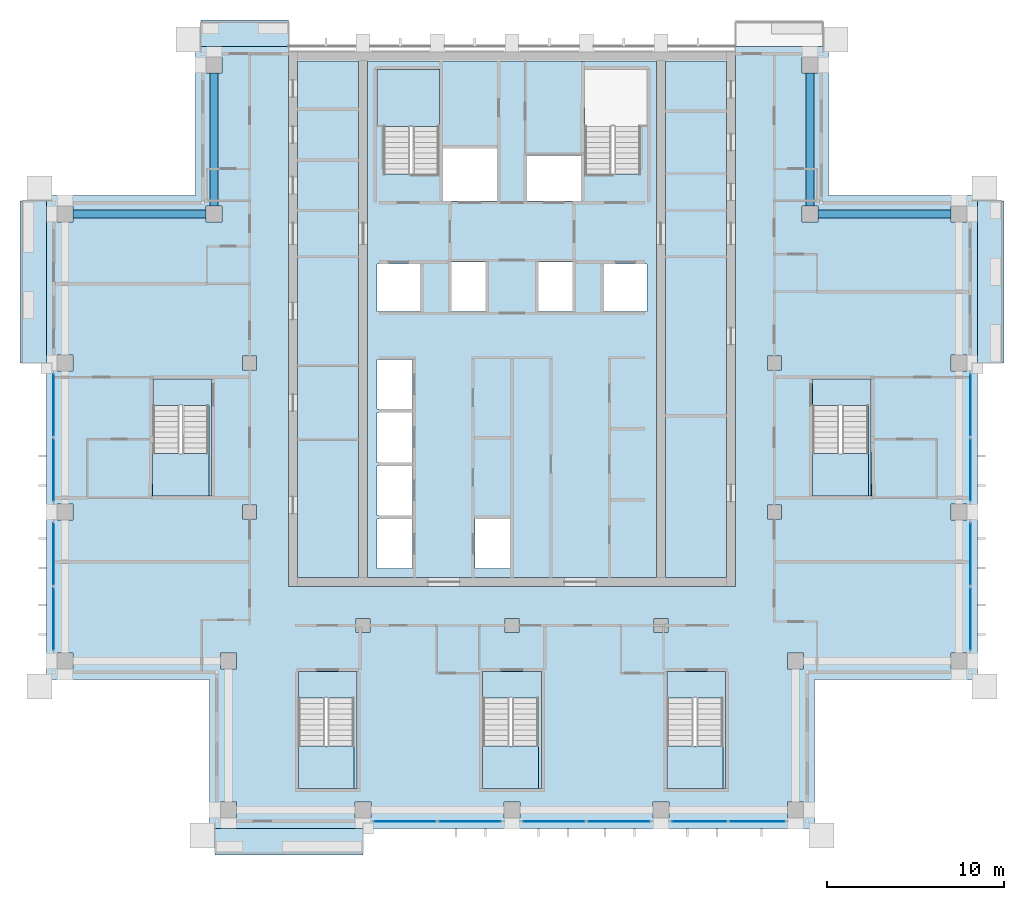
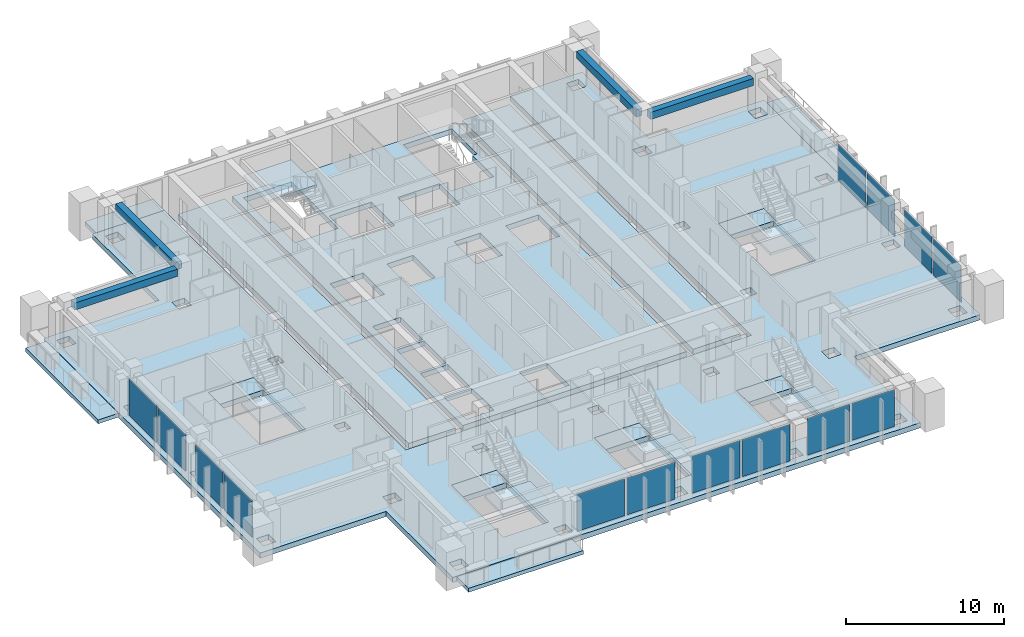
# One storey, part 6 of 18: 19 slabs, 14 plates, 4 beams, 13 elements without a shape of their own.
"""IFC4 building model written with IfcOpenShell, lengths in metres."""

from ifc_helpers import new_model, si_unit, direction, frame, origin, origin_2d, place, context, subcontext, project, spatial, polyline, rectangle, outline, extrude, material, layer, layer_set, material_profile, profile_set, type_object, element, aggregate, save


model = new_model("IFC4")

# Units and contexts
model_context = context("Model", 3, precision=1e-05, world=origin(), true_north=direction((0.0, 1.0)))
body_context = subcontext(model_context, "Body", "Model", "MODEL_VIEW")
ifc_project = project(units=[si_unit("LENGTHUNIT", "METRE"), si_unit("AREAUNIT", "SQUARE_METRE"), si_unit("VOLUMEUNIT", "CUBIC_METRE"), si_unit("PLANEANGLEUNIT", "RADIAN"), si_unit("MASSUNIT", "GRAM", prefix="KILO")], contexts=[model_context])

# Site, building, storey
site_placement = place(None, origin())
site = spatial("IfcSite", under=ifc_project, at=site_placement, CompositionType="ELEMENT")
building_placement = place(site_placement, origin())
building = spatial("IfcBuilding", under=site, at=building_placement, Name="Vermilion Ogive Tower", CompositionType="ELEMENT")
storey_placement = place(building_placement, frame((0.0, 0.0, 261.39990234375)))
storey = spatial("IfcBuildingStorey", under=building, at=storey_placement, Name="L69", CompositionType="ELEMENT", Elevation=261.39990234375)

# Beams
ifc_material_1 = material(Name="Concrete B45", Category="concrete")
ifc_material_profile = material_profile(ifc_material_1, rectangle(XDim=0.449951171875, YDim=0.550048828125, at=origin_2d()), Name="450 x 550")
ifc_profile_set = profile_set([ifc_material_profile], Name="Concrete B45")
beam_type = type_object("IfcBeamType", Name="Edge beam 450 x 550 B45", PredefinedType="BEAM", material=ifc_profile_set)
for number, where, z_axis, x_axis, name in (
    (1, (24.75, 12.60009765625, 2.675048828125), (-1.0, 0.0, 0.0), (0.0, -1.0, 0.0), "L69-EB-10"),
    (2, (16.800048828125, 13.050048828125, 2.675048828125), (0.0, 1.0, 0.0), (-1.0, 0.0, 0.0), "L69-EB-11"),
    (3, (-16.800048828125, 20.550048828125, 2.675048828125), (0.0, -1.0, 0.0), (1.0, 0.0, 0.0), "L69-EB-12"),
    (4, (-17.25, 12.60009765625, 2.675048828125), (-1.0, 0.0, 0.0), (0.0, -1.0, 0.0), "L69-EB-13"),
):
    element("IfcBeam", number, at=place(storey_placement, frame(where, z_axis=z_axis, x_axis=x_axis)), inside=storey, type_object=beam_type, Name=name, PredefinedType="BEAM", context=body_context, shape_type="SweptSolid", body=[
        extrude(rectangle(XDim=0.449951171875, YDim=0.550048828125, at=origin_2d()), origin(), (0.0, 0.0, 1.0), 7.5),
    ])

# Slabs
ifc_material_2 = material(Name="Concrete B40", Category="concrete")
ifc_layer_1 = layer(ifc_material_2, 0.300048828125)
ifc_layer_set_1 = layer_set([ifc_layer_1], Name="Balcony slab")
slab_type_1 = type_object("IfcSlabType", Name="Balcony slab", PredefinedType="FLOOR", material=ifc_layer_set_1)
slab_1_placement = place(storey_placement, frame((0.0, 0.0, -0.33984375)))
element("IfcSlab", 5, at=slab_1_placement, inside=storey, type_object=slab_type_1, Name="Balcony slab S01", PredefinedType="FLOOR", context=body_context, shape_type="SweptSolid", body=[
    extrude(outline(polyline([(-16.75, -23.548095703125), (-8.39990234375, -23.548095703125), (-8.39990234375, -22.050048828125), (-16.75, -22.050048828125), (-16.75, -23.548095703125)])), origin(), (0.0, 0.0, 1.0), 0.300048828125),
])
slab_2_placement = place(storey_placement, frame((0.0, 0.0, -0.33984375)))
element("IfcSlab", 6, at=slab_2_placement, inside=storey, type_object=slab_type_1, Name="Balcony slab E03", PredefinedType="FLOOR", context=body_context, shape_type="SweptSolid", body=[
    extrude(outline(polyline([(27.748046875, 4.199951171875), (27.748046875, 13.35009765625), (26.25, 13.35009765625), (26.25, 4.199951171875), (27.748046875, 4.199951171875)])), origin(), (0.0, 0.0, 1.0), 0.300048828125),
])
slab_3_placement = place(storey_placement, frame((0.0, 0.0, -0.33984375)))
element("IfcSlab", 7, at=slab_3_placement, inside=storey, type_object=slab_type_1, Name="Balcony slab N201", PredefinedType="FLOOR", context=body_context, shape_type="SweptSolid", body=[
    extrude(outline(polyline([(-12.60009765625, 23.548095703125), (-17.550048828125, 23.548095703125), (-17.550048828125, 22.050048828125), (-12.60009765625, 22.050048828125), (-12.60009765625, 23.548095703125)])), origin(), (0.0, 0.0, 1.0), 0.300048828125),
])
slab_4_placement = place(storey_placement, frame((0.0, 0.0, -0.33984375)))
element("IfcSlab", 8, at=slab_4_placement, inside=storey, type_object=slab_type_1, Name="Balcony slab W01", PredefinedType="FLOOR", context=body_context, shape_type="SweptSolid", body=[
    extrude(outline(polyline([(-27.748046875, 13.35009765625), (-27.748046875, 4.199951171875), (-26.25, 4.199951171875), (-26.25, 13.35009765625), (-27.748046875, 13.35009765625)])), origin(), (0.0, 0.0, 1.0), 0.300048828125),
])

# Curtain wall, plates
ifc_material_3 = material(Name="Low-iron laminated glazing in aluminium frame", Category="aluminium")
curtain_wall_type = type_object("IfcCurtainWallType", Name="Curtain wall CW7", PredefinedType="NOTDEFINED", material=ifc_material_3)
curtain_wall_1_placement = place(storey_placement, origin())
curtain_wall_1 = element("IfcCurtainWall", 9, at=curtain_wall_1_placement, inside=storey, type_object=curtain_wall_type, Name="Glazed skin S2", PredefinedType="NOTDEFINED")
ifc_material_4 = material(Name="Low-iron laminated glazing in aluminium frame", Category="aluminium")
ifc_layer_2 = layer(ifc_material_4, 0.031982421875)
ifc_layer_set_2 = layer_set([ifc_layer_2], Name="CW7 glazing panel 32")
plate_type = type_object("IfcPlateType", Name="CW7 glazing panel 32", PredefinedType="CURTAIN_PANEL", material=ifc_layer_set_2)
plate_1_placement = place(storey_placement, frame((-6.030029296875, -21.64990234375, 0.06005859375), z_axis=(0.0, 0.0, 1.0), x_axis=(1.0, 0.0, 0.0)))
plate_1 = element("IfcPlate", 10, at=plate_1_placement, type_object=plate_type, Name="CW7-S2 panel 1.1", PredefinedType="CURTAIN_PANEL", context=body_context, shape_type="SweptSolid", body=[
    extrude(rectangle(XDim=3.47998046875, YDim=0.031982421875, at=origin_2d()), origin(), (0.0, 0.0, 1.0), 2.830078125),
])
plate_2_placement = place(storey_placement, frame((-2.3701171875, -21.64990234375, 0.06005859375), z_axis=(0.0, 0.0, 1.0), x_axis=(1.0, 0.0, 0.0)))
plate_2 = element("IfcPlate", 11, at=plate_2_placement, type_object=plate_type, Name="CW7-S2 panel 2.1", PredefinedType="CURTAIN_PANEL", context=body_context, shape_type="SweptSolid", body=[
    extrude(rectangle(XDim=3.47998046875, YDim=0.031982421875, at=origin_2d()), origin(), (0.0, 0.0, 1.0), 2.830078125),
])
aggregate(curtain_wall_1, [plate_1, plate_2])

curtain_wall_2_placement = place(storey_placement, origin())
curtain_wall_2 = element("IfcCurtainWall", 12, at=curtain_wall_2_placement, inside=storey, type_object=curtain_wall_type, Name="Glazed skin S3", PredefinedType="NOTDEFINED")
plate_3_placement = place(storey_placement, frame((2.3701171875, -21.64990234375, 0.06005859375), z_axis=(0.0, 0.0, 1.0), x_axis=(1.0, 0.0, 0.0)))
plate_3 = element("IfcPlate", 13, at=plate_3_placement, type_object=plate_type, Name="CW7-S3 panel 1.1", PredefinedType="CURTAIN_PANEL", context=body_context, shape_type="SweptSolid", body=[
    extrude(rectangle(XDim=3.47998046875, YDim=0.031982421875, at=origin_2d()), origin(), (0.0, 0.0, 1.0), 2.830078125),
])
plate_4_placement = place(storey_placement, frame((6.030029296875, -21.64990234375, 0.06005859375), z_axis=(0.0, 0.0, 1.0), x_axis=(1.0, 0.0, 0.0)))
plate_4 = element("IfcPlate", 14, at=plate_4_placement, type_object=plate_type, Name="CW7-S3 panel 2.1", PredefinedType="CURTAIN_PANEL", context=body_context, shape_type="SweptSolid", body=[
    extrude(rectangle(XDim=3.47998046875, YDim=0.031982421875, at=origin_2d()), origin(), (0.0, 0.0, 1.0), 2.830078125),
])
aggregate(curtain_wall_2, [plate_3, plate_4])

curtain_wall_3_placement = place(storey_placement, origin())
curtain_wall_3 = element("IfcCurtainWall", 15, at=curtain_wall_3_placement, inside=storey, type_object=curtain_wall_type, Name="Glazed skin S4", PredefinedType="NOTDEFINED")
plate_5_placement = place(storey_placement, frame((10.570068359375, -21.64990234375, 0.06005859375), z_axis=(0.0, 0.0, 1.0), x_axis=(1.0, 0.0, 0.0)))
plate_5 = element("IfcPlate", 16, at=plate_5_placement, type_object=plate_type, Name="CW7-S4 panel 1.1", PredefinedType="CURTAIN_PANEL", context=body_context, shape_type="SweptSolid", body=[
    extrude(rectangle(XDim=3.080078125, YDim=0.031982421875, at=origin_2d()), origin(), (0.0, 0.0, 1.0), 2.830078125),
])
plate_6_placement = place(storey_placement, frame((13.830078125, -21.64990234375, 0.06005859375), z_axis=(0.0, 0.0, 1.0), x_axis=(1.0, 0.0, 0.0)))
plate_6 = element("IfcPlate", 17, at=plate_6_placement, type_object=plate_type, Name="CW7-S4 panel 2.1", PredefinedType="CURTAIN_PANEL", context=body_context, shape_type="SweptSolid", body=[
    extrude(rectangle(XDim=3.080078125, YDim=0.031982421875, at=origin_2d()), origin(), (0.0, 0.0, 1.0), 2.830078125),
])
aggregate(curtain_wall_3, [plate_5, plate_6])

curtain_wall_4_placement = place(storey_placement, origin())
curtain_wall_4 = element("IfcCurtainWall", 18, at=curtain_wall_4_placement, inside=storey, type_object=curtain_wall_type, Name="Glazed skin E1", PredefinedType="NOTDEFINED")
plate_7_placement = place(storey_placement, frame((25.85009765625, -10.22998046875, 0.06005859375), z_axis=(0.0, 0.0, 1.0), x_axis=(0.0, 1.0, 0.0)))
plate_7 = element("IfcPlate", 19, at=plate_7_placement, type_object=plate_type, Name="CW7-E1 panel 1.1", PredefinedType="CURTAIN_PANEL", context=body_context, shape_type="SweptSolid", body=[
    extrude(rectangle(XDim=3.47998046875, YDim=0.031982421875, at=origin_2d()), origin(), (0.0, 0.0, 1.0), 2.830078125),
])
plate_8_placement = place(storey_placement, frame((25.85009765625, -6.570068359375, 0.06005859375), z_axis=(0.0, 0.0, 1.0), x_axis=(0.0, 1.0, 0.0)))
plate_8 = element("IfcPlate", 20, at=plate_8_placement, type_object=plate_type, Name="CW7-E1 panel 2.1", PredefinedType="CURTAIN_PANEL", context=body_context, shape_type="SweptSolid", body=[
    extrude(rectangle(XDim=3.47998046875, YDim=0.031982421875, at=origin_2d()), origin(), (0.0, 0.0, 1.0), 2.830078125),
])
aggregate(curtain_wall_4, [plate_7, plate_8])

curtain_wall_5_placement = place(storey_placement, origin())
curtain_wall_5 = element("IfcCurtainWall", 21, at=curtain_wall_5_placement, inside=storey, type_object=curtain_wall_type, Name="Glazed skin E2", PredefinedType="NOTDEFINED")
plate_9_placement = place(storey_placement, frame((25.85009765625, -1.830078125, 0.06005859375), z_axis=(0.0, 0.0, 1.0), x_axis=(0.0, 1.0, 0.0)))
plate_9 = element("IfcPlate", 22, at=plate_9_placement, type_object=plate_type, Name="CW7-E2 panel 1.1", PredefinedType="CURTAIN_PANEL", context=body_context, shape_type="SweptSolid", body=[
    extrude(rectangle(XDim=3.47998046875, YDim=0.031982421875, at=origin_2d()), origin(), (0.0, 0.0, 1.0), 2.830078125),
])
plate_10_placement = place(storey_placement, frame((25.85009765625, 1.830078125, 0.06005859375), z_axis=(0.0, 0.0, 1.0), x_axis=(0.0, 1.0, 0.0)))
plate_10 = element("IfcPlate", 23, at=plate_10_placement, type_object=plate_type, Name="CW7-E2 panel 2.1", PredefinedType="CURTAIN_PANEL", context=body_context, shape_type="SweptSolid", body=[
    extrude(rectangle(XDim=3.47998046875, YDim=0.031982421875, at=origin_2d()), origin(), (0.0, 0.0, 1.0), 2.830078125),
])
aggregate(curtain_wall_5, [plate_9, plate_10])

curtain_wall_6_placement = place(storey_placement, origin())
curtain_wall_6 = element("IfcCurtainWall", 24, at=curtain_wall_6_placement, inside=storey, type_object=curtain_wall_type, Name="Glazed skin W2", PredefinedType="NOTDEFINED")
plate_11_placement = place(storey_placement, frame((-25.85009765625, 1.830078125, 0.06005859375), z_axis=(0.0, 0.0, 1.0), x_axis=(0.0, -1.0, 0.0)))
plate_11 = element("IfcPlate", 25, at=plate_11_placement, type_object=plate_type, Name="CW7-W2 panel 1.1", PredefinedType="CURTAIN_PANEL", context=body_context, shape_type="SweptSolid", body=[
    extrude(rectangle(XDim=3.47998046875, YDim=0.031982421875, at=origin_2d()), origin(), (0.0, 0.0, 1.0), 2.830078125),
])
plate_12_placement = place(storey_placement, frame((-25.85009765625, -1.830078125, 0.06005859375), z_axis=(0.0, 0.0, 1.0), x_axis=(0.0, -1.0, 0.0)))
plate_12 = element("IfcPlate", 26, at=plate_12_placement, type_object=plate_type, Name="CW7-W2 panel 2.1", PredefinedType="CURTAIN_PANEL", context=body_context, shape_type="SweptSolid", body=[
    extrude(rectangle(XDim=3.47998046875, YDim=0.031982421875, at=origin_2d()), origin(), (0.0, 0.0, 1.0), 2.830078125),
])
aggregate(curtain_wall_6, [plate_11, plate_12])

curtain_wall_7_placement = place(storey_placement, origin())
curtain_wall_7 = element("IfcCurtainWall", 27, at=curtain_wall_7_placement, inside=storey, type_object=curtain_wall_type, Name="Glazed skin W3", PredefinedType="NOTDEFINED")
plate_13_placement = place(storey_placement, frame((-25.85009765625, -6.570068359375, 0.06005859375), z_axis=(0.0, 0.0, 1.0), x_axis=(0.0, -1.0, 0.0)))
plate_13 = element("IfcPlate", 28, at=plate_13_placement, type_object=plate_type, Name="CW7-W3 panel 1.1", PredefinedType="CURTAIN_PANEL", context=body_context, shape_type="SweptSolid", body=[
    extrude(rectangle(XDim=3.47998046875, YDim=0.031982421875, at=origin_2d()), origin(), (0.0, 0.0, 1.0), 2.830078125),
])
plate_14_placement = place(storey_placement, frame((-25.85009765625, -10.22998046875, 0.06005859375), z_axis=(0.0, 0.0, 1.0), x_axis=(0.0, -1.0, 0.0)))
plate_14 = element("IfcPlate", 29, at=plate_14_placement, type_object=plate_type, Name="CW7-W3 panel 2.1", PredefinedType="CURTAIN_PANEL", context=body_context, shape_type="SweptSolid", body=[
    extrude(rectangle(XDim=3.47998046875, YDim=0.031982421875, at=origin_2d()), origin(), (0.0, 0.0, 1.0), 2.830078125),
])
aggregate(curtain_wall_7, [plate_13, plate_14])

# Slabs
ifc_material_5 = material(Name="Concrete B40", Category="concrete")
ifc_layer_3 = layer(ifc_material_5, 0.39990234375)
ifc_layer_set_3 = layer_set([ifc_layer_3], Name="Core floor slab 400 B40")
slab_type_2 = type_object("IfcSlabType", Name="Core floor slab 400 B40", PredefinedType="FLOOR", material=ifc_layer_set_3)
slab_5_placement = place(storey_placement, frame((0.0, 0.0, -0.39990234375)))
element("IfcSlab", 30, at=slab_5_placement, inside=storey, type_object=slab_type_2, Name="L69-CK-FS1", PredefinedType="FLOOR", context=body_context, shape_type="SweptSolid", body=[
    extrude(outline(polyline([(-8.654052734375, 21.24609375), (-8.654052734375, -7.89599609375), (-12.095947265625, -7.89599609375), (-12.095947265625, 21.24609375), (-8.654052734375, 21.24609375)])), origin(), (0.0, 0.0, 1.0), 0.39990234375),
])
slab_6_placement = place(storey_placement, frame((0.0, 0.0, -0.39990234375)))
element("IfcSlab", 31, at=slab_6_placement, inside=storey, type_object=slab_type_2, Name="L69-CK-FS2", PredefinedType="FLOOR", context=body_context, shape_type="SweptSolid", body=[
    extrude(outline(polyline([(-8.14599609375, -7.89599609375), (8.14599609375, -7.89599609375), (8.14599609375, 21.24609375), (-8.14599609375, 21.24609375), (-8.14599609375, -7.89599609375)]), holes=[polyline([(-7.60009765625, -7.39990234375), (-7.60009765625, -4.60009765625), (-5.60009765625, -4.60009765625), (-5.60009765625, -7.39990234375), (-7.60009765625, -7.39990234375)]), polyline([(-7.60009765625, -4.39990234375), (-7.60009765625, -1.60009765625), (-5.60009765625, -1.60009765625), (-5.60009765625, -4.39990234375), (-7.60009765625, -4.39990234375)]), polyline([(-7.60009765625, -1.39990234375), (-7.60009765625, 1.39990234375), (-5.60009765625, 1.39990234375), (-5.60009765625, -1.39990234375), (-7.60009765625, -1.39990234375)]), polyline([(-7.60009765625, 1.60009765625), (-7.60009765625, 4.39990234375), (-5.60009765625, 4.39990234375), (-5.60009765625, 1.60009765625), (-7.60009765625, 1.60009765625)]), polyline([(-7.60009765625, 7.10009765625), (-7.60009765625, 9.800048828125), (-5.199951171875, 9.800048828125), (-5.199951171875, 7.10009765625), (-7.60009765625, 7.10009765625)]), polyline([(-3.39990234375, 9.89990234375), (-1.5, 9.89990234375), (-1.5, 7.10009765625), (-3.39990234375, 7.10009765625), (-3.39990234375, 9.89990234375)]), polyline([(-7.60009765625, 17.550048828125), (-7.60009765625, 20.75), (-4.10009765625, 20.75), (-4.10009765625, 14.85205078125), (-5.60009765625, 14.85205078125), (-5.60009765625, 14.85009765625), (-5.75, 14.85009765625), (-5.75, 14.85205078125), (-7.25, 14.85205078125), (-7.25, 17.550048828125), (-7.60009765625, 17.550048828125)]), polyline([(-2.10009765625, -7.39990234375), (-2.10009765625, -4.60009765625), (-0.10009765625, -4.60009765625), (-0.10009765625, -7.39990234375), (-2.10009765625, -7.39990234375)]), polyline([(5.199951171875, 7.10009765625), (5.199951171875, 9.800048828125), (7.60009765625, 9.800048828125), (7.60009765625, 7.10009765625), (5.199951171875, 7.10009765625)]), polyline([(1.5, 7.10009765625), (1.5, 9.89990234375), (3.39990234375, 9.89990234375), (3.39990234375, 7.10009765625), (1.5, 7.10009765625)]), polyline([(0.85009765625, 13.35009765625), (0.85009765625, 15.89990234375), (3.89990234375, 15.89990234375), (3.89990234375, 13.35009765625), (0.85009765625, 13.35009765625)]), polyline([(-3.89990234375, 16.300048828125), (-0.85009765625, 16.300048828125), (-0.85009765625, 13.35009765625), (-3.89990234375, 13.35009765625), (-3.89990234375, 16.300048828125)]), polyline([(5.75, 14.85009765625), (5.60009765625, 14.85009765625), (5.60009765625, 14.85205078125), (4.10009765625, 14.85205078125), (4.10009765625, 17.550048828125), (4.074951171875, 17.550048828125), (4.074951171875, 20.75), (7.60009765625, 20.75), (7.60009765625, 17.550048828125), (7.25, 17.550048828125), (7.25, 14.85205078125), (5.75, 14.85205078125), (5.75, 14.85009765625)])]), origin(), (0.0, 0.0, 1.0), 0.39990234375),
])
slab_7_placement = place(storey_placement, frame((0.0, 0.0, -0.39990234375)))
element("IfcSlab", 32, at=slab_7_placement, inside=storey, type_object=slab_type_2, Name="L69-CK-FS3", PredefinedType="FLOOR", context=body_context, shape_type="SweptSolid", body=[
    extrude(outline(polyline([(8.654052734375, 21.24609375), (12.095947265625, 21.24609375), (12.095947265625, -7.89599609375), (8.654052734375, -7.89599609375), (8.654052734375, 21.24609375)])), origin(), (0.0, 0.0, 1.0), 0.39990234375),
])
slab_8_placement = place(storey_placement, frame((0.0, 0.0, -0.39990234375)))
element("IfcSlab", 33, at=slab_8_placement, inside=storey, type_object=slab_type_2, Name="L69-SF-ST3-1", PredefinedType="FLOOR", context=body_context, shape_type="SweptSolid", body=[
    extrude(outline(polyline([(-12.050048828125, -13.199951171875), (-12.050048828125, -14.701904296875), (-10.550048828125, -14.701904296875), (-10.550048828125, -14.699951171875), (-10.39990234375, -14.699951171875), (-10.39990234375, -14.701904296875), (-8.89990234375, -14.701904296875), (-8.89990234375, -19.800048828125), (-8.75, -19.800048828125), (-8.75, -13.199951171875), (-12.050048828125, -13.199951171875)])), origin(), (0.0, 0.0, 1.0), 0.39990234375),
])
slab_9_placement = place(storey_placement, frame((0.0, 0.0, -0.39990234375)))
element("IfcSlab", 34, at=slab_9_placement, inside=storey, type_object=slab_type_2, Name="L69-SF-ST4-1", PredefinedType="FLOOR", context=body_context, shape_type="SweptSolid", body=[
    extrude(outline(polyline([(-1.64990234375, -13.199951171875), (-1.64990234375, -14.701904296875), (-0.14990234375, -14.701904296875), (-0.14990234375, -14.699951171875), (0.0, -14.699951171875), (0.0, -14.701904296875), (1.5, -14.701904296875), (1.5, -19.800048828125), (1.64990234375, -19.800048828125), (1.64990234375, -13.199951171875), (-1.64990234375, -13.199951171875)])), origin(), (0.0, 0.0, 1.0), 0.39990234375),
])
slab_10_placement = place(storey_placement, frame((0.0, 0.0, -0.39990234375)))
element("IfcSlab", 35, at=slab_10_placement, inside=storey, type_object=slab_type_2, Name="L69-SF-ST5-1", PredefinedType="FLOOR", context=body_context, shape_type="SweptSolid", body=[
    extrude(outline(polyline([(8.75, -13.199951171875), (8.75, -14.701904296875), (10.25, -14.701904296875), (10.25, -14.699951171875), (10.39990234375, -14.699951171875), (10.39990234375, -14.701904296875), (11.89990234375, -14.701904296875), (11.89990234375, -19.800048828125), (12.050048828125, -19.800048828125), (12.050048828125, -13.199951171875), (8.75, -13.199951171875)])), origin(), (0.0, 0.0, 1.0), 0.39990234375),
])
slab_11_placement = place(storey_placement, frame((0.0, 0.0, -0.39990234375)))
element("IfcSlab", 36, at=slab_11_placement, inside=storey, type_object=slab_type_2, Name="L69-SF-ST8-1", PredefinedType="FLOOR", context=body_context, shape_type="SweptSolid", body=[
    extrude(outline(polyline([(16.949951171875, 3.300048828125), (16.949951171875, 1.798095703125), (18.449951171875, 1.798095703125), (18.449951171875, 1.800048828125), (18.60009765625, 1.800048828125), (18.60009765625, 1.798095703125), (20.10009765625, 1.798095703125), (20.10009765625, -3.300048828125), (20.25, -3.300048828125), (20.25, 3.300048828125), (16.949951171875, 3.300048828125)])), origin(), (0.0, 0.0, 1.0), 0.39990234375),
])
slab_12_placement = place(storey_placement, frame((0.0, 0.0, -0.39990234375)))
element("IfcSlab", 37, at=slab_12_placement, inside=storey, type_object=slab_type_2, Name="L69-SF-ST9-1", PredefinedType="FLOOR", context=body_context, shape_type="SweptSolid", body=[
    extrude(outline(polyline([(-20.25, 3.300048828125), (-20.25, 1.798095703125), (-18.75, 1.798095703125), (-18.75, 1.800048828125), (-18.60009765625, 1.800048828125), (-18.60009765625, 1.798095703125), (-17.10009765625, 1.798095703125), (-17.10009765625, -3.300048828125), (-16.949951171875, -3.300048828125), (-16.949951171875, 3.300048828125), (-20.25, 3.300048828125)])), origin(), (0.0, 0.0, 1.0), 0.39990234375),
])
ifc_material_6 = material(Name="Concrete B45", Category="concrete")
ifc_layer_4 = layer(ifc_material_6, 0.39990234375)
ifc_layer_set_4 = layer_set([ifc_layer_4], Name="Post-tensioned flat plate 400 B45")
slab_type_3 = type_object("IfcSlabType", Name="Post-tensioned flat plate 400 B45", PredefinedType="FLOOR", material=ifc_layer_set_4)
slab_13_placement = place(storey_placement, frame((0.0, 0.0, -0.39990234375)))
element("IfcSlab", 38, at=slab_13_placement, inside=storey, type_object=slab_type_3, Name="L69-SL-1", PredefinedType="FLOOR", context=body_context, shape_type="SweptSolid", body=[
    extrude(outline(polyline([(-17.050048828125, -13.64990234375), (-26.25, -13.64990234375), (-26.25, 13.64990234375), (-17.85009765625, 13.64990234375), (-17.85009765625, 22.050048828125), (-12.60009765625, 22.050048828125), (-12.60009765625, -8.39990234375), (12.60009765625, -8.39990234375), (12.60009765625, 22.050048828125), (17.85009765625, 22.050048828125), (17.85009765625, 13.64990234375), (26.25, 13.64990234375), (26.25, -13.64990234375), (17.050048828125, -13.64990234375), (17.050048828125, -22.050048828125), (-17.050048828125, -22.050048828125), (-17.050048828125, -13.64990234375)]), holes=[polyline([(25.64990234375, -4.64990234375), (25.64990234375, -3.75), (24.75, -3.75), (24.75, -4.64990234375), (25.64990234375, -4.64990234375)]), polyline([(25.64990234375, -13.050048828125), (25.64990234375, -12.14990234375), (24.75, -12.14990234375), (24.75, -13.050048828125), (25.64990234375, -13.050048828125)]), polyline([(24.75, 12.14990234375), (25.64990234375, 12.14990234375), (25.64990234375, 13.050048828125), (24.75, 13.050048828125), (24.75, 12.14990234375)]), polyline([(24.75, 3.75), (25.64990234375, 3.75), (25.64990234375, 4.64990234375), (24.75, 4.64990234375), (24.75, 3.75)]), polyline([(20.25, -3.300048828125), (20.25, 3.300048828125), (16.949951171875, 3.300048828125), (16.949951171875, -3.300048828125), (20.25, -3.300048828125)]), polyline([(17.25, 12.14990234375), (17.25, 13.050048828125), (16.35009765625, 13.050048828125), (16.35009765625, 12.14990234375), (17.25, 12.14990234375)]), polyline([(16.35009765625, 20.550048828125), (17.25, 20.550048828125), (17.25, 21.449951171875), (16.35009765625, 21.449951171875), (16.35009765625, 20.550048828125)]), polyline([(16.449951171875, -13.050048828125), (16.449951171875, -12.14990234375), (15.550048828125, -12.14990234375), (15.550048828125, -13.050048828125), (16.449951171875, -13.050048828125)]), polyline([(16.449951171875, -21.449951171875), (16.449951171875, -20.550048828125), (15.550048828125, -20.550048828125), (15.550048828125, -21.449951171875), (16.449951171875, -21.449951171875)]), polyline([(15.199951171875, 3.800048828125), (15.199951171875, 4.60009765625), (14.39990234375, 4.60009765625), (14.39990234375, 3.800048828125), (15.199951171875, 3.800048828125)]), polyline([(14.39990234375, -4.60009765625), (15.199951171875, -4.60009765625), (15.199951171875, -3.800048828125), (14.39990234375, -3.800048828125), (14.39990234375, -4.60009765625)]), polyline([(12.050048828125, -19.800048828125), (12.050048828125, -13.199951171875), (8.75, -13.199951171875), (8.75, -19.800048828125), (12.050048828125, -19.800048828125)]), polyline([(8.85009765625, -21.449951171875), (8.85009765625, -20.550048828125), (7.949951171875, -20.550048828125), (7.949951171875, -21.449951171875), (8.85009765625, -21.449951171875)]), polyline([(8.0, -11.0), (8.800048828125, -11.0), (8.800048828125, -10.199951171875), (8.0, -10.199951171875), (8.0, -11.0)]), polyline([(1.64990234375, -19.800048828125), (1.64990234375, -13.199951171875), (-1.64990234375, -13.199951171875), (-1.64990234375, -19.800048828125), (1.64990234375, -19.800048828125)]), polyline([(0.449951171875, -21.449951171875), (0.449951171875, -20.550048828125), (-0.449951171875, -20.550048828125), (-0.449951171875, -21.449951171875), (0.449951171875, -21.449951171875)]), polyline([(0.39990234375, -11.0), (0.39990234375, -10.199951171875), (-0.39990234375, -10.199951171875), (-0.39990234375, -11.0), (0.39990234375, -11.0)]), polyline([(-7.949951171875, -21.449951171875), (-7.949951171875, -20.550048828125), (-8.85009765625, -20.550048828125), (-8.85009765625, -21.449951171875), (-7.949951171875, -21.449951171875)]), polyline([(-8.0, -11.0), (-8.0, -10.199951171875), (-8.800048828125, -10.199951171875), (-8.800048828125, -11.0), (-8.0, -11.0)]), polyline([(-8.75, -19.800048828125), (-8.75, -13.199951171875), (-12.050048828125, -13.199951171875), (-12.050048828125, -19.800048828125), (-8.75, -19.800048828125)]), polyline([(-14.39990234375, 3.800048828125), (-14.39990234375, 4.60009765625), (-15.199951171875, 4.60009765625), (-15.199951171875, 3.800048828125), (-14.39990234375, 3.800048828125)]), polyline([(-15.199951171875, -4.60009765625), (-14.39990234375, -4.60009765625), (-14.39990234375, -3.800048828125), (-15.199951171875, -3.800048828125), (-15.199951171875, -4.60009765625)]), polyline([(-15.550048828125, -13.050048828125), (-15.550048828125, -12.14990234375), (-16.449951171875, -12.14990234375), (-16.449951171875, -13.050048828125), (-15.550048828125, -13.050048828125)]), polyline([(-15.550048828125, -21.449951171875), (-15.550048828125, -20.550048828125), (-16.449951171875, -20.550048828125), (-16.449951171875, -21.449951171875), (-15.550048828125, -21.449951171875)]), polyline([(-16.35009765625, 12.14990234375), (-16.35009765625, 13.050048828125), (-17.25, 13.050048828125), (-17.25, 12.14990234375), (-16.35009765625, 12.14990234375)]), polyline([(-17.25, 20.550048828125), (-16.35009765625, 20.550048828125), (-16.35009765625, 21.449951171875), (-17.25, 21.449951171875), (-17.25, 20.550048828125)]), polyline([(-16.949951171875, -3.300048828125), (-16.949951171875, 3.300048828125), (-20.25, 3.300048828125), (-20.25, -3.300048828125), (-16.949951171875, -3.300048828125)]), polyline([(-25.64990234375, 3.75), (-24.75, 3.75), (-24.75, 4.64990234375), (-25.64990234375, 4.64990234375), (-25.64990234375, 3.75)]), polyline([(-24.75, 12.14990234375), (-24.75, 13.050048828125), (-25.64990234375, 13.050048828125), (-25.64990234375, 12.14990234375), (-24.75, 12.14990234375)]), polyline([(-24.75, -4.64990234375), (-24.75, -3.75), (-25.64990234375, -3.75), (-25.64990234375, -4.64990234375), (-24.75, -4.64990234375)]), polyline([(-24.75, -13.050048828125), (-24.75, -12.14990234375), (-25.64990234375, -12.14990234375), (-25.64990234375, -13.050048828125), (-24.75, -13.050048828125)])]), origin(), (0.0, 0.0, 1.0), 0.39990234375),
])

# Stair, slab
ifc_material_7 = material(Name="Concrete B40", Category="concrete")
stair_type = type_object("IfcStairType", Name="Exit stair 1500", PredefinedType="HALF_TURN_STAIR", material=ifc_material_7)
stair_1_placement = place(storey_placement, origin())
stair_1 = element("IfcStair", 39, at=stair_1_placement, inside=storey, type_object=stair_type, Name="L69 Exit Stair ST1", PredefinedType="HALF_TURN_STAIR")
ifc_material_8 = material(Name="Concrete B40", Category="concrete")
ifc_layer_5 = layer(ifc_material_8, 0.199951171875)
ifc_layer_set_5 = layer_set([ifc_layer_5], Name="Stair landing 200")
slab_type_4 = type_object("IfcSlabType", Name="Stair landing 200", PredefinedType="LANDING", material=ifc_layer_set_5)
slab_14_placement = place(storey_placement, frame((0.0, 0.0, 1.525146484375)))
slab_14 = element("IfcSlab", 40, at=slab_14_placement, type_object=slab_type_4, Name="ST1 landing 1", PredefinedType="LANDING", context=body_context, shape_type="SweptSolid", body=[
    extrude(outline(polyline([(-7.60009765625, 17.550048828125), (-7.25, 17.550048828125), (-7.25, 17.548095703125), (-5.75, 17.548095703125), (-5.75, 17.550048828125), (-5.60009765625, 17.550048828125), (-5.60009765625, 17.548095703125), (-4.10009765625, 17.548095703125), (-4.10009765625, 20.75), (-7.60009765625, 20.75), (-7.60009765625, 17.550048828125)])), origin(), (0.0, 0.0, 1.0), 0.199951171875),
])
aggregate(stair_1, [slab_14])

stair_2_placement = place(storey_placement, origin())
stair_2 = element("IfcStair", 41, at=stair_2_placement, inside=storey, type_object=stair_type, Name="L69 Exit Stair ST3", PredefinedType="HALF_TURN_STAIR")
slab_15_placement = place(storey_placement, frame((0.0, 0.0, 1.525146484375)))
slab_15 = element("IfcSlab", 42, at=slab_15_placement, type_object=slab_type_4, Name="ST3 landing 1", PredefinedType="LANDING", context=body_context, shape_type="SweptSolid", body=[
    extrude(outline(polyline([(-8.75, -17.39990234375), (-8.89990234375, -17.39990234375), (-8.89990234375, -17.39794921875), (-10.39990234375, -17.39794921875), (-10.39990234375, -17.39990234375), (-10.550048828125, -17.39990234375), (-10.550048828125, -17.39794921875), (-12.050048828125, -17.39794921875), (-12.050048828125, -19.800048828125), (-8.75, -19.800048828125), (-8.75, -17.39990234375)])), origin(), (0.0, 0.0, 1.0), 0.199951171875),
])
aggregate(stair_2, [slab_15])

stair_3_placement = place(storey_placement, origin())
stair_3 = element("IfcStair", 43, at=stair_3_placement, inside=storey, type_object=stair_type, Name="L69 Exit Stair ST4", PredefinedType="HALF_TURN_STAIR")
slab_16_placement = place(storey_placement, frame((0.0, 0.0, 1.525146484375)))
slab_16 = element("IfcSlab", 44, at=slab_16_placement, type_object=slab_type_4, Name="ST4 landing 1", PredefinedType="LANDING", context=body_context, shape_type="SweptSolid", body=[
    extrude(outline(polyline([(1.64990234375, -17.39990234375), (1.5, -17.39990234375), (1.5, -17.39794921875), (0.0, -17.39794921875), (0.0, -17.39990234375), (-0.14990234375, -17.39990234375), (-0.14990234375, -17.39794921875), (-1.64990234375, -17.39794921875), (-1.64990234375, -19.800048828125), (1.64990234375, -19.800048828125), (1.64990234375, -17.39990234375)])), origin(), (0.0, 0.0, 1.0), 0.199951171875),
])
aggregate(stair_3, [slab_16])

stair_4_placement = place(storey_placement, origin())
stair_4 = element("IfcStair", 45, at=stair_4_placement, inside=storey, type_object=stair_type, Name="L69 Exit Stair ST5", PredefinedType="HALF_TURN_STAIR")
slab_17_placement = place(storey_placement, frame((0.0, 0.0, 1.525146484375)))
slab_17 = element("IfcSlab", 46, at=slab_17_placement, type_object=slab_type_4, Name="ST5 landing 1", PredefinedType="LANDING", context=body_context, shape_type="SweptSolid", body=[
    extrude(outline(polyline([(12.050048828125, -17.39990234375), (11.89990234375, -17.39990234375), (11.89990234375, -17.39794921875), (10.39990234375, -17.39794921875), (10.39990234375, -17.39990234375), (10.25, -17.39990234375), (10.25, -17.39794921875), (8.75, -17.39794921875), (8.75, -19.800048828125), (12.050048828125, -19.800048828125), (12.050048828125, -17.39990234375)])), origin(), (0.0, 0.0, 1.0), 0.199951171875),
])
aggregate(stair_4, [slab_17])

stair_5_placement = place(storey_placement, origin())
stair_5 = element("IfcStair", 47, at=stair_5_placement, inside=storey, type_object=stair_type, Name="L69 Exit Stair ST8", PredefinedType="HALF_TURN_STAIR")
slab_18_placement = place(storey_placement, frame((0.0, 0.0, 1.525146484375)))
slab_18 = element("IfcSlab", 48, at=slab_18_placement, type_object=slab_type_4, Name="ST8 landing 1", PredefinedType="LANDING", context=body_context, shape_type="SweptSolid", body=[
    extrude(outline(polyline([(20.275146484375, -0.89990234375), (20.10009765625, -0.89990234375), (20.10009765625, -0.89794921875), (18.60009765625, -0.89794921875), (18.60009765625, -0.89990234375), (18.449951171875, -0.89990234375), (18.449951171875, -0.89794921875), (16.949951171875, -0.89794921875), (16.949951171875, -0.902099609375), (16.9501953125, -0.902099609375), (16.9501953125, -3.2998046875), (20.275146484375, -3.2998046875), (20.275146484375, -0.89990234375)])), origin(), (0.0, 0.0, 1.0), 0.199951171875),
])
aggregate(stair_5, [slab_18])

stair_6_placement = place(storey_placement, origin())
stair_6 = element("IfcStair", 49, at=stair_6_placement, inside=storey, type_object=stair_type, Name="L69 Exit Stair ST9", PredefinedType="HALF_TURN_STAIR")
slab_19_placement = place(storey_placement, frame((0.0, 0.0, 1.525146484375)))
slab_19 = element("IfcSlab", 50, at=slab_19_placement, type_object=slab_type_4, Name="ST9 landing 1", PredefinedType="LANDING", context=body_context, shape_type="SweptSolid", body=[
    extrude(outline(polyline([(-16.9501953125, -0.89990234375), (-17.10009765625, -0.89990234375), (-17.10009765625, -0.89794921875), (-18.60009765625, -0.89794921875), (-18.60009765625, -0.89990234375), (-18.75, -0.89990234375), (-18.75, -0.89794921875), (-20.25, -0.89794921875), (-20.25, -0.89990234375), (-20.275146484375, -0.89990234375), (-20.275146484375, -3.2998046875), (-16.9501953125, -3.2998046875), (-16.9501953125, -0.89990234375)])), origin(), (0.0, 0.0, 1.0), 0.199951171875),
])
aggregate(stair_6, [slab_19])

save(model, "model.ifc")
